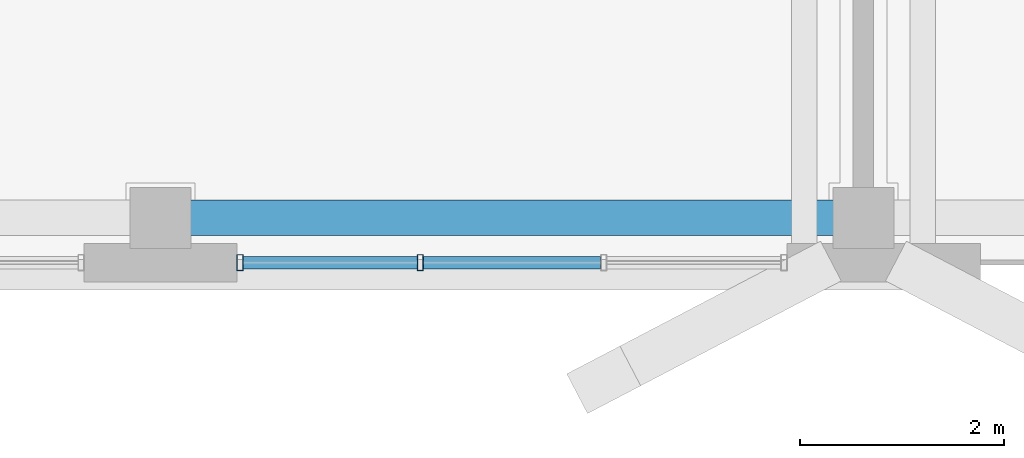
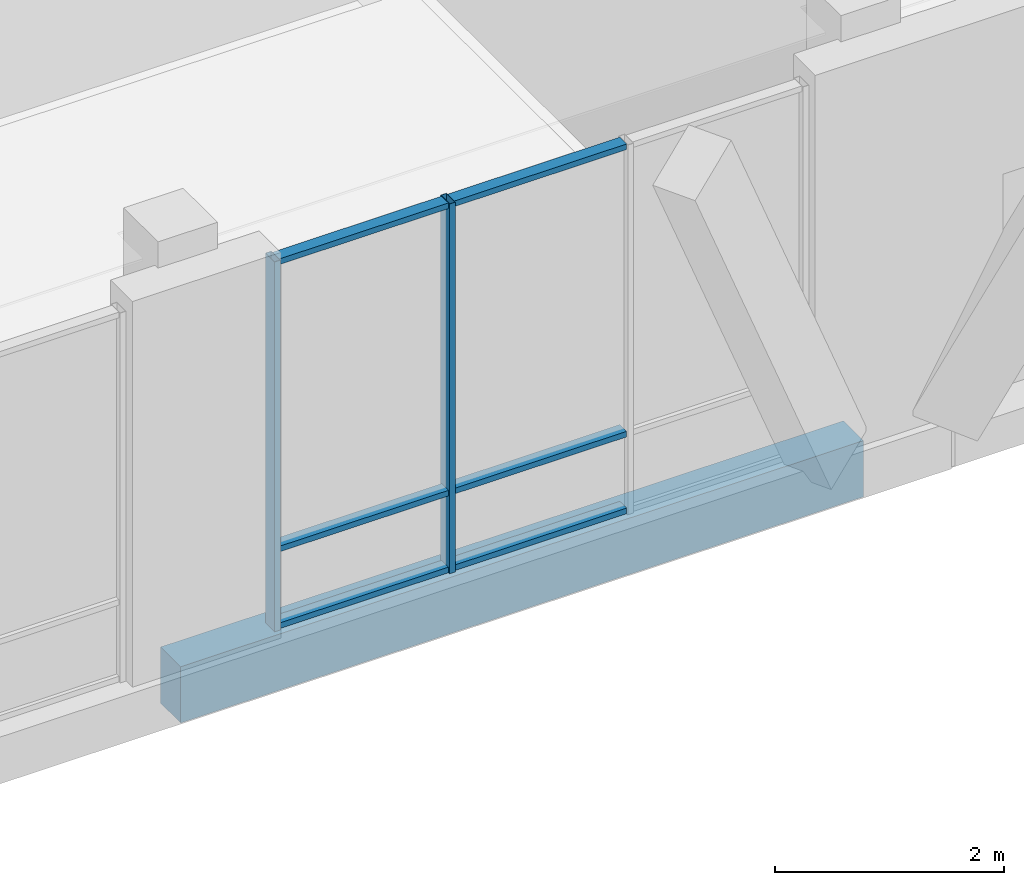
# One storey, part 27 of 233: 8 members, 1 beam, 1 element without a shape of its own.
"""IFC4 building model written with IfcOpenShell, lengths in metres."""

from ifc_helpers import new_model, si_unit, direction, frame, origin, origin_2d, place, context, subcontext, project, spatial, rectangle, hollow_rectangle, extrude, material, material_profile, profile_set, type_object, element, aggregate, save


model = new_model("IFC4")

# Units and contexts
model_context = context("Model", 3, precision=1e-05, world=origin(), true_north=direction((0.0, 1.0)))
body_context = subcontext(model_context, "Body", "Model", "MODEL_VIEW")
ifc_project = project(units=[si_unit("LENGTHUNIT", "METRE"), si_unit("AREAUNIT", "SQUARE_METRE"), si_unit("VOLUMEUNIT", "CUBIC_METRE"), si_unit("PLANEANGLEUNIT", "RADIAN"), si_unit("MASSUNIT", "GRAM", prefix="KILO")], contexts=[model_context])

# Site, building, storey
site_placement = place(None, origin())
site = spatial("IfcSite", under=ifc_project, at=site_placement, CompositionType="ELEMENT")
building_placement = place(site_placement, origin())
building = spatial("IfcBuilding", under=site, at=building_placement, Name="Zavelmont Quarter", CompositionType="ELEMENT")
storey_placement = place(building_placement, origin())
storey = spatial("IfcBuildingStorey", under=building, at=storey_placement, Name="L00", CompositionType="ELEMENT", Elevation=0.0)

# Beam
ifc_material_1 = material(Name="Concrete C35/45", Category="concrete")
ifc_material_profile_1 = material_profile(ifc_material_1, rectangle(XDim=0.35009765625, YDim=0.60009765625, at=origin_2d()), Name="RC350X600")
ifc_profile_set_1 = profile_set([ifc_material_profile_1], Name="Concrete C35/45")
beam_type = type_object("IfcBeamType", Name="BM01", PredefinedType="SPANDREL", material=ifc_profile_set_1)
beam_placement = place(storey_placement, frame((27.60009765625, 0.43994140625, -0.6201171875), z_axis=(1.0, 0.0, 0.0), x_axis=(0.0, 1.0, 0.0)))
element("IfcBeam", 1, at=beam_placement, inside=storey, type_object=beam_type, Name="L00 beam BM01 5/A to 6/A", PredefinedType="SPANDREL", context=body_context, shape_type="SweptSolid", body=[
    extrude(rectangle(XDim=0.35009765625, YDim=0.60009765625, at=origin_2d()), origin(), (0.0, 0.0, 1.0), 6.89990234375),
])

# Curtain wall, members
ifc_material_2 = material(Name="Thermally broken aluminium and double low-E safety glazing", Category="aluminium")
curtain_wall_type = type_object("IfcCurtainWallType", Name="CW-540X395", PredefinedType="NOTDEFINED", material=ifc_material_2)
curtain_wall_placement = place(storey_placement, origin())
curtain_wall = element("IfcCurtainWall", 2, at=curtain_wall_placement, inside=storey, type_object=curtain_wall_type, Name="L00 unitised curtain wall CW-540X395", PredefinedType="NOTDEFINED")
ifc_material_3 = material(Name="Powder-coated aluminium EN AW-6063-T6", Category="aluminium")
ifc_material_profile_2 = material_profile(ifc_material_3, hollow_rectangle(XDim=0.06005859375, YDim=0.159912109375, WallThickness=0.00390625, at=origin_2d()), Name="CWM60X160")
ifc_profile_set_2 = profile_set([ifc_material_profile_2], Name="Powder-coated aluminium EN AW-6063-T6")
member_type_1 = type_object("IfcMemberType", Name="CWM01", PredefinedType="MULLION", material=ifc_profile_set_2)
member_1_placement = place(storey_placement, frame((28.3798828125, 0.0, 0.0), z_axis=(0.0, 0.0, 1.0), x_axis=(1.0, 0.0, 0.0)))
member_1 = element("IfcMember", 3, at=member_1_placement, type_object=member_type_1, Name="CW-540X395 mullion 1", PredefinedType="MULLION", context=body_context, shape_type="SweptSolid", body=[
    extrude(hollow_rectangle(XDim=0.06005859375, YDim=0.159912109375, WallThickness=0.00390625, at=origin_2d()), origin(), (0.0, 0.0, 1.0), 3.949951171875),
])
member_2_placement = place(storey_placement, frame((30.14990234375, 0.0, 0.0), z_axis=(0.0, 0.0, 1.0), x_axis=(1.0, 0.0, 0.0)))
member_2 = element("IfcMember", 4, at=member_2_placement, type_object=member_type_1, Name="CW-540X395 mullion 2", PredefinedType="MULLION", context=body_context, shape_type="SweptSolid", body=[
    extrude(hollow_rectangle(XDim=0.06005859375, YDim=0.159912109375, WallThickness=0.00390625, at=origin_2d()), origin(), (0.0, 0.0, 1.0), 3.949951171875),
])
ifc_material_profile_3 = material_profile(ifc_material_3, hollow_rectangle(XDim=0.1201171875, YDim=0.06005859375, WallThickness=0.00390625, at=origin_2d()), Name="CWT60X120")
ifc_profile_set_3 = profile_set([ifc_material_profile_3], Name="Powder-coated aluminium EN AW-6063-T6")
member_type_2 = type_object("IfcMemberType", Name="CWT01", PredefinedType="NOTDEFINED", material=ifc_profile_set_3)
member_3_placement = place(storey_placement, frame((28.409912109375, 0.0, 0.030029296875), z_axis=(1.0, 0.0, 0.0), x_axis=(0.0, 1.0, 0.0)))
member_3 = element("IfcMember", 5, at=member_3_placement, type_object=member_type_2, Name="CW-540X395 transom 1.1", ObjectType="TRANSOM", PredefinedType="USERDEFINED", context=body_context, shape_type="SweptSolid", body=[
    extrude(hollow_rectangle(XDim=0.1201171875, YDim=0.06005859375, WallThickness=0.00390625, at=origin_2d()), origin(), (0.0, 0.0, 1.0), 1.710205078125),
])
member_4_placement = place(storey_placement, frame((28.409912109375, 0.0, 0.85009765625), z_axis=(1.0, 0.0, 0.0), x_axis=(0.0, 1.0, 0.0)))
member_4 = element("IfcMember", 6, at=member_4_placement, type_object=member_type_2, Name="CW-540X395 transom 1.2", ObjectType="TRANSOM", PredefinedType="USERDEFINED", context=body_context, shape_type="SweptSolid", body=[
    extrude(hollow_rectangle(XDim=0.1201171875, YDim=0.06005859375, WallThickness=0.00390625, at=origin_2d()), origin(), (0.0, 0.0, 1.0), 1.710205078125),
])
member_5_placement = place(storey_placement, frame((28.409912109375, 0.0, 3.919921875), z_axis=(1.0, 0.0, 0.0), x_axis=(0.0, 1.0, 0.0)))
member_5 = element("IfcMember", 7, at=member_5_placement, type_object=member_type_2, Name="CW-540X395 transom 1.3", ObjectType="TRANSOM", PredefinedType="USERDEFINED", context=body_context, shape_type="SweptSolid", body=[
    extrude(hollow_rectangle(XDim=0.1201171875, YDim=0.06005859375, WallThickness=0.00390625, at=origin_2d()), origin(), (0.0, 0.0, 1.0), 1.710205078125),
])
member_6_placement = place(storey_placement, frame((30.179931640625, 0.0, 0.030029296875), z_axis=(1.0, 0.0, 0.0), x_axis=(0.0, 1.0, 0.0)))
member_6 = element("IfcMember", 8, at=member_6_placement, type_object=member_type_2, Name="CW-540X395 transom 2.1", ObjectType="TRANSOM", PredefinedType="USERDEFINED", context=body_context, shape_type="SweptSolid", body=[
    extrude(hollow_rectangle(XDim=0.1201171875, YDim=0.06005859375, WallThickness=0.00390625, at=origin_2d()), origin(), (0.0, 0.0, 1.0), 1.739990234375),
])
member_7_placement = place(storey_placement, frame((30.179931640625, 0.0, 0.85009765625), z_axis=(1.0, 0.0, 0.0), x_axis=(0.0, 1.0, 0.0)))
member_7 = element("IfcMember", 9, at=member_7_placement, type_object=member_type_2, Name="CW-540X395 transom 2.2", ObjectType="TRANSOM", PredefinedType="USERDEFINED", context=body_context, shape_type="SweptSolid", body=[
    extrude(hollow_rectangle(XDim=0.1201171875, YDim=0.06005859375, WallThickness=0.00390625, at=origin_2d()), origin(), (0.0, 0.0, 1.0), 1.739990234375),
])
member_8_placement = place(storey_placement, frame((30.179931640625, 0.0, 3.919921875), z_axis=(1.0, 0.0, 0.0), x_axis=(0.0, 1.0, 0.0)))
member_8 = element("IfcMember", 10, at=member_8_placement, type_object=member_type_2, Name="CW-540X395 transom 2.3", ObjectType="TRANSOM", PredefinedType="USERDEFINED", context=body_context, shape_type="SweptSolid", body=[
    extrude(hollow_rectangle(XDim=0.1201171875, YDim=0.06005859375, WallThickness=0.00390625, at=origin_2d()), origin(), (0.0, 0.0, 1.0), 1.739990234375),
])
aggregate(curtain_wall, [member_1, member_2, member_3, member_4, member_5, member_6, member_7, member_8])

save(model, "model.ifc")
